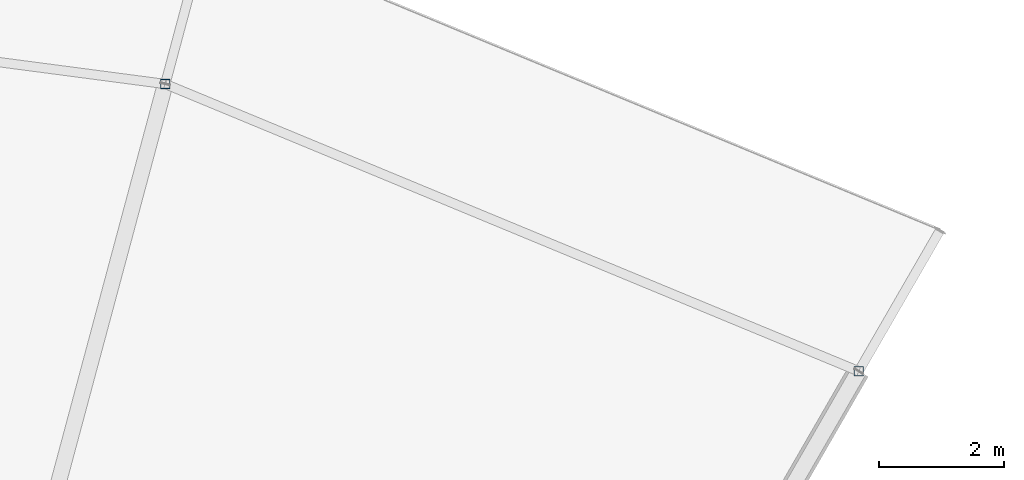
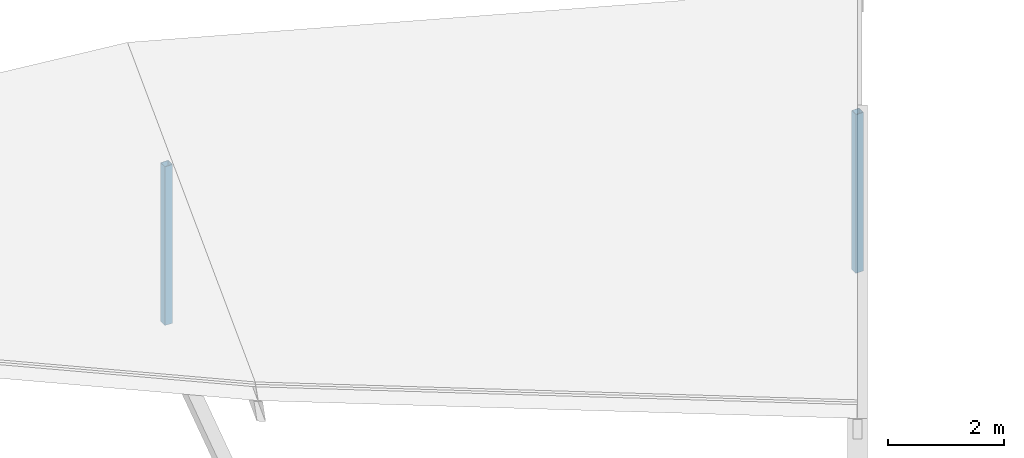
# One storey, part 27 of 70: 2 members.
"""IFC4 building model written with IfcOpenShell, lengths in metres."""

from ifc_helpers import new_model, si_unit, direction, frame, origin, origin_2d, place, context, subcontext, project, spatial, hollow_rectangle, extrude, material, material_profile, profile_set, type_object, element, save


model = new_model("IFC4")

# Units and contexts
model_context = context("Model", 3, precision=1e-05, world=origin(), true_north=direction((0.0, 1.0)))
body_context = subcontext(model_context, "Body", "Model", "MODEL_VIEW")
ifc_project = project(units=[si_unit("LENGTHUNIT", "METRE"), si_unit("AREAUNIT", "SQUARE_METRE"), si_unit("VOLUMEUNIT", "CUBIC_METRE"), si_unit("PLANEANGLEUNIT", "RADIAN"), si_unit("MASSUNIT", "GRAM", prefix="KILO")], contexts=[model_context])

# Site, building, storey
site_placement = place(None, origin())
site = spatial("IfcSite", under=ifc_project, at=site_placement, CompositionType="ELEMENT")
building_placement = place(site_placement, origin())
building = spatial("IfcBuilding", under=site, at=building_placement, Name="Vondelvale Polytechnic", CompositionType="ELEMENT")
storey_placement = place(building_placement, frame((0.0, 0.0, 22.199951171875)))
storey = spatial("IfcBuildingStorey", under=building, at=storey_placement, Name="L05", CompositionType="ELEMENT", Elevation=22.199951171875)

# Members
ifc_material = material(Name="Steel C350L0 (fy = 350 MPa)", Category="steel")
ifc_material_profile = material_profile(ifc_material, hollow_rectangle(XDim=0.14990234375, YDim=0.14990234375, WallThickness=0.006103515625, at=origin_2d()), Name="150x150x6.0SHS")
ifc_profile_set = profile_set([ifc_material_profile], Name="Steel C350L0 (fy = 350 MPa)")
member_type = type_object("IfcMemberType", Name="ROOF TRUSS POST 150SHS", PredefinedType="POST", material=ifc_profile_set)
for number, where, z_axis, x_axis, name in (
    (1, (125.0, 111.837158203125, 0.0), (0.0, 0.0, 1.0), (1.0, 0.0, 0.0), "Ring outer roof post 04"),
    (2, (113.90576171875, 116.4326171875, 0.0), (0.0, 0.0, 1.0), (1.0, 0.0, 0.0), "Ring outer roof post 05"),
):
    element("IfcMember", number, at=place(storey_placement, frame(where, z_axis=z_axis, x_axis=x_axis)), inside=storey, type_object=member_type, Name=name, PredefinedType="POST", context=body_context, shape_type="SweptSolid", body=[
        extrude(hollow_rectangle(XDim=0.14990234375, YDim=0.14990234375, WallThickness=0.006103515625, at=origin_2d()), origin(), (0.0, 0.0, 1.0), 3.33984375),
    ])

save(model, "model.ifc")
